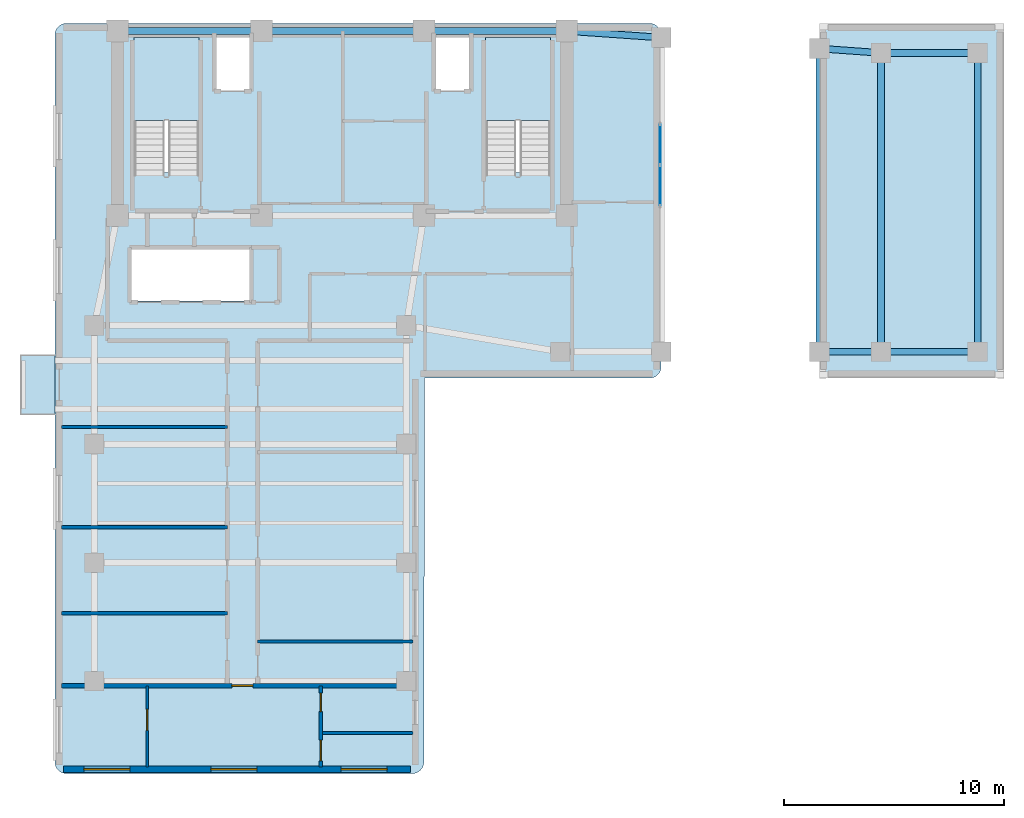
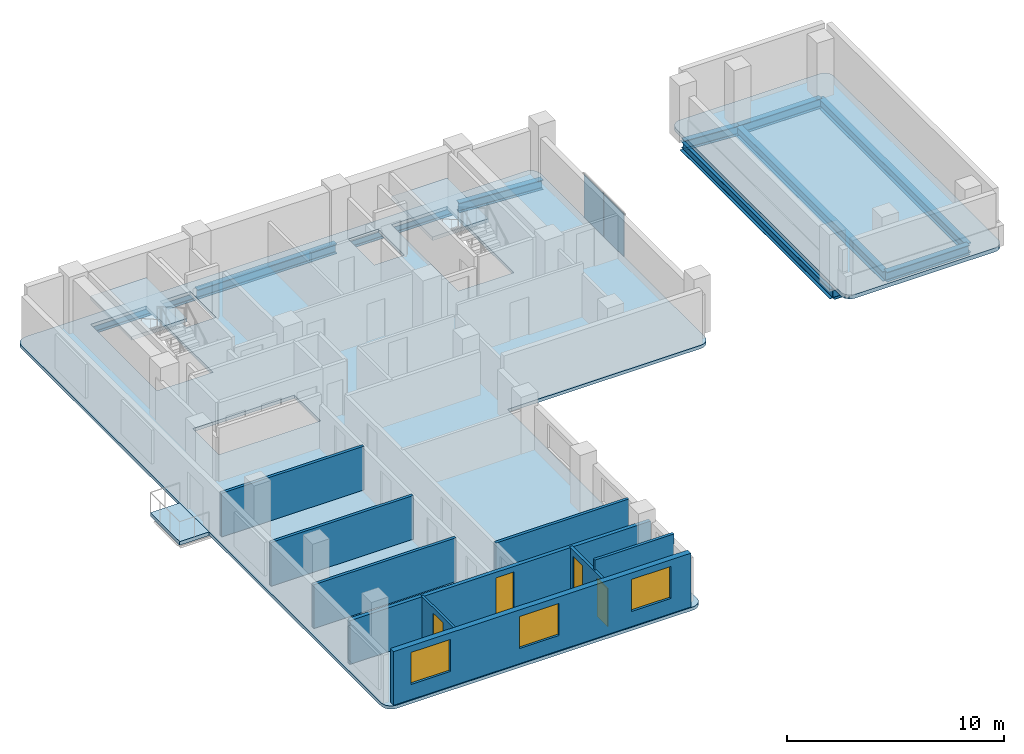
# One storey, part 5 of 10: 11 beams, 9 walls, 5 slabs, 4 doors, 3 windows, 2 plates, 7 openings, 3 elements without a shape of their own.
"""IFC4 building model written with IfcOpenShell, lengths in metres."""

from ifc_helpers import new_model, si_unit, direction, frame, frame_2d, origin, origin_2d, place, context, subcontext, project, spatial, polyline, rectangle, i_section, outline, extrude, material, layer, layer_set, material_profile, profile_set, type_object, element, fill, aggregate, save


model = new_model("IFC4")

# Units and contexts
model_context = context("Model", 3, precision=1e-05, world=origin(), true_north=direction((0.0, 1.0)))
body_context = subcontext(model_context, "Body", "Model", "MODEL_VIEW")
ifc_project = project(units=[si_unit("LENGTHUNIT", "METRE"), si_unit("AREAUNIT", "SQUARE_METRE"), si_unit("VOLUMEUNIT", "CUBIC_METRE"), si_unit("PLANEANGLEUNIT", "RADIAN"), si_unit("MASSUNIT", "GRAM", prefix="KILO")], contexts=[model_context])

# Site, building, storey
site_placement = place(None, origin())
site = spatial("IfcSite", under=ifc_project, at=site_placement, CompositionType="ELEMENT")
building_placement = place(site_placement, origin())
building = spatial("IfcBuilding", under=site, at=building_placement, Name="Kuzgunbayir Cultural Tower", CompositionType="ELEMENT")
storey_placement = place(building_placement, frame((0.0, 0.0, 160.0)))
storey = spatial("IfcBuildingStorey", under=building, at=storey_placement, Name="L46", CompositionType="ELEMENT", Elevation=160.0)

# Beams
ifc_material_1 = material(Name="Steel S355J2", Category="steel")
ifc_material_profile_1 = material_profile(ifc_material_1, i_section(OverallWidth=0.300048828125, OverallDepth=0.550048828125, WebThickness=0.014892578125, FlangeThickness=0.029052734375, FilletRadius=0.027099609375, at=origin_2d()), Name="HEB 550")
ifc_profile_set_1 = profile_set([ifc_material_profile_1], Name="Steel S355J2")
beam_type_1 = type_object("IfcBeamType", Name="BM-EXT-HEB550", PredefinedType="BEAM", material=ifc_profile_set_1)
beam_1_placement = place(storey_placement, frame((26.89990234375, 42.199951171875, -0.4599609375), z_axis=(0.997574369175, -0.069608749203, 0.0), x_axis=(0.069608749203, 0.997574369175, 0.0)))
element("IfcBeam", 1, at=beam_1_placement, inside=storey, type_object=beam_type_1, Name="L46 Wing B North Girder", PredefinedType="BEAM", context=body_context, shape_type="SweptSolid", body=[
    extrude(i_section(OverallWidth=0.300048828125, OverallDepth=0.550048828125, WebThickness=0.014892578125, FlangeThickness=0.029052734375, FilletRadius=0.027099609375, at=origin_2d()), origin(), (0.0, 0.0, 1.0), 4.310546875),
])
beam_2_placement = place(storey_placement, frame((38.39990234375, 27.60009765625, -0.5), z_axis=(1.0, 0.0, 0.0), x_axis=(0.0, 1.0, 0.0)))
element("IfcBeam", 2, at=beam_2_placement, inside=storey, type_object=beam_type_1, Name="L46 Wing B South Girder", PredefinedType="BEAM", context=body_context, shape_type="SweptSolid", body=[
    extrude(i_section(OverallWidth=0.300048828125, OverallDepth=0.550048828125, WebThickness=0.014892578125, FlangeThickness=0.029052734375, FilletRadius=0.027099609375, at=origin_2d()), origin(), (0.0, 0.0, 1.0), 2.800048828125),
])
beam_3_placement = place(storey_placement, frame((38.39990234375, 41.39990234375, -0.5), z_axis=(0.997460024076, -0.071228508128, 0.0), x_axis=(0.071228508128, 0.997460024076, 0.0)))
element("IfcBeam", 3, at=beam_3_placement, inside=storey, type_object=beam_type_1, Name="L46 Wing B North Girder", PredefinedType="BEAM", context=body_context, shape_type="SweptSolid", body=[
    extrude(i_section(OverallWidth=0.300048828125, OverallDepth=0.550048828125, WebThickness=0.014892578125, FlangeThickness=0.029052734375, FilletRadius=0.027099609375, at=origin_2d()), origin(), (0.0, 0.0, 1.0), 2.80712890625),
])
for number, where, z_axis, x_axis, name in (
    (4, (41.199951171875, 27.60009765625, -0.5), (1.0, 0.0, 0.0), (0.0, 1.0, 0.0), "L46 Wing B South Girder"),
    (5, (41.199951171875, 41.199951171875, -0.5), (1.0, 0.0, 0.0), (0.0, 1.0, 0.0), "L46 Wing B North Girder"),
):
    element("IfcBeam", number, at=place(storey_placement, frame(where, z_axis=z_axis, x_axis=x_axis)), inside=storey, type_object=beam_type_1, Name=name, PredefinedType="BEAM", context=body_context, shape_type="SweptSolid", body=[
        extrude(i_section(OverallWidth=0.300048828125, OverallDepth=0.550048828125, WebThickness=0.014892578125, FlangeThickness=0.029052734375, FilletRadius=0.027099609375, at=origin_2d()), origin(), (0.0, 0.0, 1.0), 4.400146484375),
    ])
ifc_material_profile_2 = material_profile(ifc_material_1, i_section(OverallWidth=0.300048828125, OverallDepth=0.550048828125, WebThickness=0.014892578125, FlangeThickness=0.029052734375, FilletRadius=0.027099609375, at=origin_2d()), Name="HEB 550")
ifc_profile_set_2 = profile_set([ifc_material_profile_2], Name="Steel S355J2")
beam_type_2 = type_object("IfcBeamType", Name="BM-GIR-HEB550", PredefinedType="BEAM", material=ifc_profile_set_2)
beam_4_placement = place(storey_placement, frame((6.449951171875, 42.199951171875, -0.4599609375), z_axis=(1.0, 0.0, 0.0), x_axis=(0.0, 1.0, 0.0)))
element("IfcBeam", 6, at=beam_4_placement, inside=storey, type_object=beam_type_2, Name="L46 Core North Girder 1", PredefinedType="BEAM", context=body_context, shape_type="SweptSolid", body=[
    extrude(i_section(OverallWidth=0.300048828125, OverallDepth=0.550048828125, WebThickness=0.014892578125, FlangeThickness=0.029052734375, FilletRadius=0.027099609375, at=origin_2d()), origin(), (0.0, 0.0, 1.0), 6.550048828125),
])
beam_5_placement = place(storey_placement, frame((13.0, 42.199951171875, -0.4599609375), z_axis=(1.0, 0.0, 0.0), x_axis=(0.0, 1.0, 0.0)))
element("IfcBeam", 7, at=beam_5_placement, inside=storey, type_object=beam_type_2, Name="L46 Core North Girder 2", PredefinedType="BEAM", context=body_context, shape_type="SweptSolid", body=[
    extrude(i_section(OverallWidth=0.300048828125, OverallDepth=0.550048828125, WebThickness=0.014892578125, FlangeThickness=0.029052734375, FilletRadius=0.027099609375, at=origin_2d()), origin(), (0.0, 0.0, 1.0), 7.39990234375),
])
beam_6_placement = place(storey_placement, frame((20.39990234375, 42.199951171875, -0.4599609375), z_axis=(1.0, 0.0, 0.0), x_axis=(0.0, 1.0, 0.0)))
element("IfcBeam", 8, at=beam_6_placement, inside=storey, type_object=beam_type_2, Name="L46 Core North Girder 3", PredefinedType="BEAM", context=body_context, shape_type="SweptSolid", body=[
    extrude(i_section(OverallWidth=0.300048828125, OverallDepth=0.550048828125, WebThickness=0.014892578125, FlangeThickness=0.029052734375, FilletRadius=0.027099609375, at=origin_2d()), origin(), (0.0, 0.0, 1.0), 6.5),
])
beam_7_placement = place(storey_placement, frame((38.39990234375, 27.60009765625, -0.5), z_axis=(0.0, 1.0, 0.0), x_axis=(-1.0, 0.0, 0.0)))
element("IfcBeam", 9, at=beam_7_placement, inside=storey, type_object=beam_type_2, Name="L46 Wing B Cross Girder", PredefinedType="BEAM", context=body_context, shape_type="SweptSolid", body=[
    extrude(i_section(OverallWidth=0.300048828125, OverallDepth=0.550048828125, WebThickness=0.014892578125, FlangeThickness=0.029052734375, FilletRadius=0.027099609375, at=origin_2d()), origin(), (0.0, 0.0, 1.0), 13.7998046875),
])
for number, where, z_axis, x_axis, name in (
    (10, (41.199951171875, 27.60009765625, -0.5), (0.0, 1.0, 0.0), (-1.0, 0.0, 0.0), "L46 Wing B Cross Girder"),
    (11, (45.60009765625, 27.60009765625, -0.5), (0.0, 1.0, 0.0), (-1.0, 0.0, 0.0), "L46 Wing B Cross Girder"),
):
    element("IfcBeam", number, at=place(storey_placement, frame(where, z_axis=z_axis, x_axis=x_axis)), inside=storey, type_object=beam_type_2, Name=name, PredefinedType="BEAM", context=body_context, shape_type="SweptSolid", body=[
        extrude(i_section(OverallWidth=0.300048828125, OverallDepth=0.550048828125, WebThickness=0.014892578125, FlangeThickness=0.029052734375, FilletRadius=0.027099609375, at=origin_2d()), origin(), (0.0, 0.0, 1.0), 13.599853515625),
    ])

# Curtain wall, plates
ifc_material_2 = material(Name="Anodised Aluminium Framing", Category="aluminium")
curtain_wall_type = type_object("IfcCurtainWallType", Name="CW02-PORTAL-SOFFIT", PredefinedType="NOTDEFINED", material=ifc_material_2)
curtain_wall_placement = place(storey_placement, origin())
curtain_wall = element("IfcCurtainWall", 12, at=curtain_wall_placement, inside=storey, type_object=curtain_wall_type, Name="L46 Wind-Portal Aperture Curtain Wall", PredefinedType="NOTDEFINED")
ifc_material_3 = material(Name="Solar-Control Triple Glazing", Category="glass")
ifc_layer_1 = layer(ifc_material_3, 0.035888671875)
ifc_layer_set_1 = layer_set([ifc_layer_1], Name="Solar-Control Triple Glazing")
plate_type = type_object("IfcPlateType", Name="PLT-CW-GLASS-36", PredefinedType="CURTAIN_PANEL", material=ifc_layer_set_1)
plate_1_placement = place(storey_placement, frame((31.14990234375, 35.1650390625, 0.06005859375), z_axis=(0.0, 0.0, 1.0), x_axis=(0.0, 1.0, 0.0)))
plate_1 = element("IfcPlate", 13, at=plate_1_placement, type_object=plate_type, Name="CW02 panel 1.1", PredefinedType="CURTAIN_PANEL", context=body_context, shape_type="SweptSolid", body=[
    extrude(rectangle(XDim=1.81005859375, YDim=0.035888671875, at=origin_2d()), origin(), (0.0, 0.0, 1.0), 2.39990234375),
])
plate_2_placement = place(storey_placement, frame((31.14990234375, 37.034912109375, 0.06005859375), z_axis=(0.0, 0.0, 1.0), x_axis=(0.0, 1.0, 0.0)))
plate_2 = element("IfcPlate", 14, at=plate_2_placement, type_object=plate_type, Name="CW02 panel 2.1", PredefinedType="CURTAIN_PANEL", context=body_context, shape_type="SweptSolid", body=[
    extrude(rectangle(XDim=1.81005859375, YDim=0.035888671875, at=origin_2d()), origin(), (0.0, 0.0, 1.0), 2.39990234375),
])
aggregate(curtain_wall, [plate_1, plate_2])

# Slab
ifc_material_4 = material(Name="Concrete C40/50", Category="concrete")
ifc_layer_2 = layer(ifc_material_4, 0.199951171875)
ifc_layer_set_2 = layer_set([ifc_layer_2], Name="Concrete C40/50")
slab_type_1 = type_object("IfcSlabType", Name="SLB-BAL-STONE", PredefinedType="FLOOR", material=ifc_layer_set_2)
slab_1_placement = place(storey_placement, frame((0.0, 0.0, -0.199951171875)))
element("IfcSlab", 15, at=slab_1_placement, inside=storey, type_object=slab_type_1, Name="L46 Projecting Limestone Balcony BAL-L46-WA3", PredefinedType="FLOOR", context=body_context, shape_type="SweptSolid", body=[
    extrude(outline(polyline([(2.0400390625, 24.75), (3.60009765625, 24.75), (3.60009765625, 27.449951171875), (2.0400390625, 27.449951171875), (2.0400390625, 24.75)])), origin(), (0.0, 0.0, 1.0), 0.199951171875),
])

# Stair, slab
stair_type = type_object("IfcStairType", Name="STR-EXIT-CORE", PredefinedType="HALF_TURN_STAIR", material=ifc_material_4)
stair_1_placement = place(storey_placement, origin())
stair_1 = element("IfcStair", 16, at=stair_1_placement, inside=storey, type_object=stair_type, Name="L46 ST-1", PredefinedType="HALF_TURN_STAIR")
ifc_layer_3 = layer(ifc_material_4, 0.179931640625)
ifc_layer_set_3 = layer_set([ifc_layer_3], Name="Concrete C40/50")
slab_type_2 = type_object("IfcSlabType", Name="SLB-LANDING-180", PredefinedType="LANDING", material=ifc_layer_set_3)
slab_2_placement = place(storey_placement, frame((0.0, 0.0, 1.39990234375)))
slab_2 = element("IfcSlab", 17, at=slab_2_placement, type_object=slab_type_2, Name="ST-1 landing 1", PredefinedType="LANDING", context=body_context, shape_type="SweptSolid", body=[
    extrude(outline(polyline([(10.159912109375, 38.1201171875), (10.159912109375, 41.89990234375), (7.199951171875, 41.89990234375), (7.199951171875, 38.1201171875), (10.159912109375, 38.1201171875)])), origin(), (0.0, 0.0, 1.0), 0.2001953125),
])
aggregate(stair_1, [slab_2])

stair_2_placement = place(storey_placement, origin())
stair_2 = element("IfcStair", 18, at=stair_2_placement, inside=storey, type_object=stair_type, Name="L46 ST-2", PredefinedType="HALF_TURN_STAIR")
slab_3_placement = place(storey_placement, frame((0.0, 0.0, 1.39990234375)))
slab_3 = element("IfcSlab", 19, at=slab_3_placement, type_object=slab_type_2, Name="ST-2 landing 1", PredefinedType="LANDING", context=body_context, shape_type="SweptSolid", body=[
    extrude(outline(polyline([(26.159912109375, 38.1201171875), (26.159912109375, 41.89990234375), (23.199951171875, 41.89990234375), (23.199951171875, 38.1201171875), (26.159912109375, 38.1201171875)])), origin(), (0.0, 0.0, 1.0), 0.2001953125),
])
aggregate(stair_2, [slab_3])

# Slabs
ifc_layer_4 = layer(ifc_material_4, 0.219970703125)
ifc_layer_set_4 = layer_set([ifc_layer_4], Name="Concrete C40/50")
slab_type_3 = type_object("IfcSlabType", Name="SLB-ROOF-COMP-220", PredefinedType="ROOF", material=ifc_layer_set_4)
slab_4_placement = place(storey_placement, frame((0.0, 0.0, -0.219970703125)))
element("IfcSlab", 20, at=slab_4_placement, inside=storey, type_object=slab_type_3, Name="L46 Tower 1 Portal Structural Cap T1-PIER", PredefinedType="ROOF", context=body_context, shape_type="SweptSolid", body=[
    extrude(outline(polyline([(46.300048828125, 26.39990234375), (46.39990234375, 26.409912109375), (46.489990234375, 26.43994140625), (46.580078125, 26.47998046875), (46.64990234375, 26.550048828125), (46.719970703125, 26.6201171875), (46.760009765625, 26.7099609375), (46.7900390625, 26.800048828125), (46.800048828125, 26.89990234375), (46.800048828125, 42.050048828125), (46.7900390625, 42.14990234375), (46.760009765625, 42.239990234375), (46.719970703125, 42.330078125), (46.64990234375, 42.39990234375), (46.580078125, 42.469970703125), (46.489990234375, 42.510009765625), (46.39990234375, 42.5400390625), (46.300048828125, 42.550048828125), (38.89990234375, 42.550048828125), (38.800048828125, 42.5400390625), (38.7099609375, 42.510009765625), (38.6201171875, 42.469970703125), (38.550048828125, 42.39990234375), (38.47998046875, 42.330078125), (38.43994140625, 42.239990234375), (38.409912109375, 42.14990234375), (38.39990234375, 42.050048828125), (38.39990234375, 26.89990234375), (38.409912109375, 26.800048828125), (38.43994140625, 26.7099609375), (38.47998046875, 26.6201171875), (38.550048828125, 26.550048828125), (38.6201171875, 26.47998046875), (38.7099609375, 26.43994140625), (38.800048828125, 26.409912109375), (38.89990234375, 26.39990234375), (46.300048828125, 26.39990234375)])), origin(), (0.0, 0.0, 1.0), 0.219970703125),
])
ifc_layer_5 = layer(ifc_material_4, 0.179931640625)
ifc_layer_set_5 = layer_set([ifc_layer_5], Name="Concrete C40/50")
slab_type_4 = type_object("IfcSlabType", Name="SLB-TYP-180", PredefinedType="FLOOR", material=ifc_layer_set_5)
slab_5_placement = place(storey_placement, frame((0.0, 0.0, -0.179931640625)))
element("IfcSlab", 21, at=slab_5_placement, inside=storey, type_object=slab_type_4, Name="L46 Tower 1 Floor Slab T1-WEST", PredefinedType="FLOOR", context=body_context, shape_type="SweptSolid", body=[
    extrude(outline(polyline([(20.39990234375, 8.949951171875), (20.389892578125, 8.840087890625), (20.360107421875, 8.739990234375), (20.31005859375, 8.639892578125), (20.239990234375, 8.56005859375), (20.159912109375, 8.489990234375), (20.06005859375, 8.43994140625), (19.9599609375, 8.409912109375), (19.85009765625, 8.39990234375), (4.14990234375, 8.39990234375), (4.0400390625, 8.409912109375), (3.93994140625, 8.43994140625), (3.840087890625, 8.489990234375), (3.760009765625, 8.56005859375), (3.68994140625, 8.639892578125), (3.639892578125, 8.739990234375), (3.610107421875, 8.840087890625), (3.60009765625, 8.949951171875), (3.60009765625, 42.0), (3.610107421875, 42.110107421875), (3.639892578125, 42.2099609375), (3.68994140625, 42.31005859375), (3.760009765625, 42.389892578125), (3.840087890625, 42.4599609375), (3.93994140625, 42.510009765625), (4.0400390625, 42.5400390625), (4.14990234375, 42.550048828125), (30.64990234375, 42.550048828125), (30.760009765625, 42.5400390625), (30.860107421875, 42.510009765625), (30.9599609375, 42.4599609375), (31.0400390625, 42.389892578125), (31.110107421875, 42.31005859375), (31.159912109375, 42.2099609375), (31.18994140625, 42.110107421875), (31.199951171875, 42.0), (31.199951171875, 26.949951171875), (31.18994140625, 26.840087890625), (31.159912109375, 26.739990234375), (31.110107421875, 26.639892578125), (31.0400390625, 26.56005859375), (30.9599609375, 26.489990234375), (30.860107421875, 26.43994140625), (30.760009765625, 26.409912109375), (30.64990234375, 26.39990234375), (20.429931640625, 26.39990234375), (20.39990234375, 8.949951171875)]), holes=[polyline([(7.199951171875, 35.760009765625), (7.199951171875, 41.89990234375), (10.159912109375, 41.89990234375), (10.159912109375, 35.760009765625), (7.199951171875, 35.760009765625)]), polyline([(23.199951171875, 35.760009765625), (23.199951171875, 41.89990234375), (26.159912109375, 41.89990234375), (26.159912109375, 35.760009765625), (23.199951171875, 35.760009765625)]), polyline([(7.10009765625, 29.89990234375), (7.10009765625, 32.300048828125), (12.5, 32.300048828125), (12.5, 29.89990234375), (7.10009765625, 29.89990234375)]), polyline([(10.89990234375, 39.5), (10.89990234375, 41.89990234375), (12.5, 41.89990234375), (12.5, 39.5), (10.89990234375, 39.5)]), polyline([(20.89990234375, 39.5), (20.89990234375, 41.89990234375), (22.5, 41.89990234375), (22.5, 39.5), (20.89990234375, 39.5)])]), origin(), (0.0, 0.0, 1.0), 0.179931640625),
])

# Wall, openings, windows
ifc_material_5 = material(Name="Anatolian Cream Limestone", Category="masonry")
ifc_layer_6 = layer(ifc_material_5, 0.300048828125)
ifc_layer_set_6 = layer_set([ifc_layer_6], Name="Anatolian Cream Limestone")
wall_type_1 = type_object("IfcWallType", Name="WAL-EXT-STONE-300", PredefinedType="STANDARD", material=ifc_layer_set_6)
wall_1_placement = place(storey_placement, frame((4.0, 8.60009765625, 0.0), z_axis=(0.0, 0.0, 1.0), x_axis=(1.0, 0.0, 0.0)))
wall_1 = element("IfcWall", 22, at=wall_1_placement, inside=storey, type_object=wall_type_1, Name="L46 Wing A South Limestone Wall", PredefinedType="STANDARD", context=body_context, shape_type="SweptSolid", body=[
    extrude(rectangle(XDim=15.800048828125, YDim=0.300048828125, at=frame_2d((7.89990234375, 0.0))), origin(), (0.0, 0.0, 1.0), 3.02001953125),
])
opening_1_placement = place(wall_1_placement, frame((0.919921875, 0.0, 0.85009765625)))
opening_1 = element("IfcOpeningElement", 23, at=opening_1_placement, cuts=wall_1, Name="Opening WR-21", PredefinedType="OPENING", context=body_context, shape_type="SweptSolid", body=[
    extrude(rectangle(XDim=2.10009765625, YDim=1.800048828125, at=frame_2d((1.050048828125, 0.89990234375))), frame((0.0, 0.16015625, 0.0), z_axis=(0.0, -1.0, 0.0), x_axis=(1.0, 0.0, 0.0)), (0.0, 0.0, 1.0), 0.320068359375),
])
opening_2_placement = place(wall_1_placement, frame((6.699951171875, 0.0, 0.85009765625)))
opening_2 = element("IfcOpeningElement", 24, at=opening_2_placement, cuts=wall_1, Name="Opening WR-21", PredefinedType="OPENING", context=body_context, shape_type="SweptSolid", body=[
    extrude(rectangle(XDim=2.10009765625, YDim=1.800048828125, at=frame_2d((1.050048828125, 0.89990234375))), frame((0.0, 0.16015625, 0.0), z_axis=(0.0, -1.0, 0.0), x_axis=(1.0, 0.0, 0.0)), (0.0, 0.0, 1.0), 0.320068359375),
])
opening_3_placement = place(wall_1_placement, frame((12.6298828125, 0.0, 0.85009765625)))
opening_3 = element("IfcOpeningElement", 25, at=opening_3_placement, cuts=wall_1, Name="Opening WR-21", PredefinedType="OPENING", context=body_context, shape_type="SweptSolid", body=[
    extrude(rectangle(XDim=2.10009765625, YDim=1.800048828125, at=frame_2d((1.050048828125, 0.89990234375))), frame((0.0, 0.16015625, 0.0), z_axis=(0.0, -1.0, 0.0), x_axis=(1.0, 0.0, 0.0)), (0.0, 0.0, 1.0), 0.320068359375),
])
window_type = type_object("IfcWindowType", Name="WIN-RESID-21", PartitioningType="SINGLE_PANEL", PredefinedType="WINDOW", material=ifc_material_3)
window_1_placement = place(opening_1_placement, origin())
window_1 = element("IfcWindow", 26, at=window_1_placement, inside=storey, type_object=window_type, Name="L46 WAS Facade Window 1", OverallHeight=1.800048828125, OverallWidth=2.10009765625, PartitioningType="SINGLE_PANEL", PredefinedType="WINDOW", context=body_context, shape_type="SweptSolid", body=[
    extrude(rectangle(XDim=2.10009765625, YDim=1.800048828125, at=frame_2d((1.050048828125, 0.89990234375))), frame((0.0, 0.030029296875, 0.0), z_axis=(0.0, -1.0, 0.0), x_axis=(1.0, 0.0, 0.0)), (0.0, 0.0, 1.0), 0.06005859375),
])
fill(opening_1, window_1)
window_2_placement = place(opening_2_placement, origin())
window_2 = element("IfcWindow", 27, at=window_2_placement, inside=storey, type_object=window_type, Name="L46 WAS Facade Window 2", OverallHeight=1.800048828125, OverallWidth=2.10009765625, PartitioningType="SINGLE_PANEL", PredefinedType="WINDOW", context=body_context, shape_type="SweptSolid", body=[
    extrude(rectangle(XDim=2.10009765625, YDim=1.800048828125, at=frame_2d((1.050048828125, 0.89990234375))), frame((0.0, 0.030029296875, 0.0), z_axis=(0.0, -1.0, 0.0), x_axis=(1.0, 0.0, 0.0)), (0.0, 0.0, 1.0), 0.06005859375),
])
fill(opening_2, window_2)
window_3_placement = place(opening_3_placement, origin())
window_3 = element("IfcWindow", 28, at=window_3_placement, inside=storey, type_object=window_type, Name="L46 WAS Facade Window 3", OverallHeight=1.800048828125, OverallWidth=2.10009765625, PartitioningType="SINGLE_PANEL", PredefinedType="WINDOW", context=body_context, shape_type="SweptSolid", body=[
    extrude(rectangle(XDim=2.10009765625, YDim=1.800048828125, at=frame_2d((1.050048828125, 0.89990234375))), frame((0.0, 0.030029296875, 0.0), z_axis=(0.0, -1.0, 0.0), x_axis=(1.0, 0.0, 0.0)), (0.0, 0.0, 1.0), 0.06005859375),
])
fill(opening_3, window_3)

# Walls
ifc_material_6 = material(Name="Acoustic Double-Stud Drywall", Category="gypsum")
ifc_layer_7 = layer(ifc_material_6, 0.14990234375)
ifc_layer_set_7 = layer_set([ifc_layer_7], Name="Acoustic Double-Stud Drywall")
wall_type_2 = type_object("IfcWallType", Name="WAL-PART-ACOUSTIC-150", PredefinedType="PARTITIONING", material=ifc_layer_set_7)
for number, where, z_axis, x_axis, name in (
    (29, (3.89990234375, 15.699951171875, 0.0), (0.0, 0.0, 1.0), (1.0, 0.0, 0.0), "L46 West Study Partition 1"),
    (30, (3.89990234375, 19.6201171875, 0.0), (0.0, 0.0, 1.0), (1.0, 0.0, 0.0), "L46 West Study Partition 2"),
    (31, (3.89990234375, 24.179931640625, 0.0), (0.0, 0.0, 1.0), (1.0, 0.0, 0.0), "L46 West Study Partition 3"),
):
    element("IfcWall", number, at=place(storey_placement, frame(where, z_axis=z_axis, x_axis=x_axis)), inside=storey, type_object=wall_type_2, Name=name, PredefinedType="PARTITIONING", context=body_context, shape_type="SweptSolid", body=[
        extrude(rectangle(XDim=7.550048828125, YDim=0.14990234375, at=frame_2d((3.77490234375, 0.0))), origin(), (0.0, 0.0, 1.0), 2.4599609375),
    ])

# Wall, opening, door
ifc_material_7 = material(Name="Aerated Concrete Blockwork", Category="masonry")
ifc_layer_8 = layer(ifc_material_7, 0.199951171875)
ifc_layer_set_8 = layer_set([ifc_layer_8], Name="Aerated Concrete Blockwork")
wall_type_3 = type_object("IfcWallType", Name="WAL-PART-FIRE-200", PredefinedType="PARTITIONING", material=ifc_layer_set_8)
wall_2_placement = place(storey_placement, frame((3.89990234375, 12.39990234375, 0.0), z_axis=(0.0, 0.0, 1.0), x_axis=(1.0, 0.0, 0.0)))
wall_2 = element("IfcWall", 32, at=wall_2_placement, inside=storey, type_object=wall_type_3, Name="L46 South Cross Partition", PredefinedType="PARTITIONING", context=body_context, shape_type="SweptSolid", body=[
    extrude(rectangle(XDim=16.0, YDim=0.199951171875, at=frame_2d((8.0, 0.0))), origin(), (0.0, 0.0, 1.0), 2.4599609375),
])
opening_4_placement = place(wall_2_placement, frame((7.760009765625, 0.0, 0.0)))
opening_4 = element("IfcOpeningElement", 33, at=opening_4_placement, cuts=wall_2, Name="Opening DR-APT-60", PredefinedType="OPENING", context=body_context, shape_type="SweptSolid", body=[
    extrude(rectangle(XDim=0.949951171875, YDim=2.14990234375, at=frame_2d((0.47509765625, 1.074951171875))), frame((0.0, 0.10986328125, 0.0), z_axis=(0.0, -1.0, 0.0), x_axis=(1.0, 0.0, 0.0)), (0.0, 0.0, 1.0), 0.219970703125),
])
ifc_material_8 = material(Name="Acoustic Fire Timber Leaf", Category="wood")
door_type_1 = type_object("IfcDoorType", Name="DR-APT-60", OperationType="NOTDEFINED", PredefinedType="DOOR", material=ifc_material_8)
door_1_placement = place(opening_4_placement, origin())
door_1 = element("IfcDoor", 34, at=door_1_placement, inside=storey, type_object=door_type_1, Name="L46 Apartment A Entrance", OperationType="SINGLE_SWING_RIGHT", OverallHeight=2.14990234375, OverallWidth=0.949951171875, PredefinedType="DOOR", context=body_context, shape_type="SweptSolid", body=[
    extrude(rectangle(XDim=0.949951171875, YDim=2.14990234375, at=frame_2d((0.47509765625, 1.074951171875))), frame((0.0, 0.02490234375, 0.0), z_axis=(0.0, -1.0, 0.0), x_axis=(1.0, 0.0, 0.0)), (0.0, 0.0, 1.0), 0.050048828125),
])
fill(opening_4, door_1)

ifc_material_9 = material(Name="Framed Gypsum Partition", Category="gypsum")
ifc_layer_9 = layer(ifc_material_9, 0.1201171875)
ifc_layer_set_9 = layer_set([ifc_layer_9], Name="Framed Gypsum Partition")
wall_type_4 = type_object("IfcWallType", Name="WAL-PART-INT-120", PredefinedType="PARTITIONING", material=ifc_layer_set_9)
wall_3_placement = place(storey_placement, frame((7.800048828125, 8.699951171875, 0.0), z_axis=(0.0, 0.0, 1.0), x_axis=(0.0, 1.0, 0.0)))
wall_3 = element("IfcWall", 35, at=wall_3_placement, inside=storey, type_object=wall_type_4, Name="L46 Flat A West Bedroom Wall", PredefinedType="PARTITIONING", context=body_context, shape_type="SweptSolid", body=[
    extrude(rectangle(XDim=3.699951171875, YDim=0.1201171875, at=frame_2d((1.85009765625, 0.0))), origin(), (0.0, 0.0, 1.0), 2.4599609375),
])
opening_5_placement = place(wall_3_placement, frame((1.669921875, 0.0, 0.0)))
opening_5 = element("IfcOpeningElement", 36, at=opening_5_placement, cuts=wall_3, Name="Opening DI-90", PredefinedType="OPENING", context=body_context, shape_type="SweptSolid", body=[
    extrude(rectangle(XDim=0.949951171875, YDim=2.14990234375, at=frame_2d((0.47509765625, 1.074951171875))), frame((0.0, 0.070068359375, 0.0), z_axis=(0.0, -1.0, 0.0), x_axis=(1.0, 0.0, 0.0)), (0.0, 0.0, 1.0), 0.14013671875),
])
ifc_material_10 = material(Name="Veneered Oak Single Leaf", Category="wood")
door_type_2 = type_object("IfcDoorType", Name="DR-INT-90", OperationType="NOTDEFINED", PredefinedType="DOOR", material=ifc_material_10)
door_2_placement = place(opening_5_placement, origin())
door_2 = element("IfcDoor", 37, at=door_2_placement, inside=storey, type_object=door_type_2, Name="L46 Apartment A Bedroom Door", OperationType="SINGLE_SWING_LEFT", OverallHeight=2.14990234375, OverallWidth=0.949951171875, PredefinedType="DOOR", context=body_context, shape_type="SweptSolid", body=[
    extrude(rectangle(XDim=0.949951171875, YDim=2.14990234375, at=frame_2d((0.47509765625, 1.074951171875))), frame((0.0, 0.02490234375, 0.0), z_axis=(0.0, -1.0, 0.0), x_axis=(1.0, 0.0, 0.0)), (0.0, 0.0, 1.0), 0.050048828125),
])
fill(opening_5, door_2)

# Wall, openings, doors
ifc_material_11 = material(Name="Moisture-Resistant Tile Partition", Category="gypsum")
ifc_layer_10 = layer(ifc_material_11, 0.14990234375)
ifc_layer_set_10 = layer_set([ifc_layer_10], Name="Moisture-Resistant Tile Partition")
wall_type_5 = type_object("IfcWallType", Name="WAL-PART-WET-150", PredefinedType="PARTITIONING", material=ifc_layer_set_10)
wall_4_placement = place(storey_placement, frame((15.699951171875, 8.699951171875, 0.0), z_axis=(0.0, 0.0, 1.0), x_axis=(0.0, 1.0, 0.0)))
wall_4 = element("IfcWall", 38, at=wall_4_placement, inside=storey, type_object=wall_type_5, Name="L46 Flat A East Service Wall", PredefinedType="PARTITIONING", context=body_context, shape_type="SweptSolid", body=[
    extrude(rectangle(XDim=3.699951171875, YDim=0.14990234375, at=frame_2d((1.85009765625, 0.0))), origin(), (0.0, 0.0, 1.0), 2.4599609375),
])
opening_6_placement = place(wall_4_placement, frame((0.280029296875, 0.0, 0.0)))
opening_6 = element("IfcOpeningElement", 39, at=opening_6_placement, cuts=wall_4, Name="Opening DI-90", PredefinedType="OPENING", context=body_context, shape_type="SweptSolid", body=[
    extrude(rectangle(XDim=0.949951171875, YDim=2.14990234375, at=frame_2d((0.47509765625, 1.074951171875))), frame((0.0, 0.0849609375, 0.0), z_axis=(0.0, -1.0, 0.0), x_axis=(1.0, 0.0, 0.0)), (0.0, 0.0, 1.0), 0.169921875),
])
opening_7_placement = place(wall_4_placement, frame((2.52001953125, 0.0, 0.0)))
opening_7 = element("IfcOpeningElement", 40, at=opening_7_placement, cuts=wall_4, Name="Opening DW-85", PredefinedType="OPENING", context=body_context, shape_type="SweptSolid", body=[
    extrude(rectangle(XDim=0.85009765625, YDim=2.10009765625, at=frame_2d((0.425048828125, 1.050048828125))), frame((0.0, 0.0849609375, 0.0), z_axis=(0.0, -1.0, 0.0), x_axis=(1.0, 0.0, 0.0)), (0.0, 0.0, 1.0), 0.169921875),
])
door_3_placement = place(opening_6_placement, origin())
door_3 = element("IfcDoor", 41, at=door_3_placement, inside=storey, type_object=door_type_2, Name="L46 Apartment A Kitchen Door", OperationType="SINGLE_SWING_RIGHT", OverallHeight=2.14990234375, OverallWidth=0.949951171875, PredefinedType="DOOR", context=body_context, shape_type="SweptSolid", body=[
    extrude(rectangle(XDim=0.949951171875, YDim=2.14990234375, at=frame_2d((0.47509765625, 1.074951171875))), frame((0.0, 0.02490234375, 0.0), z_axis=(0.0, -1.0, 0.0), x_axis=(1.0, 0.0, 0.0)), (0.0, 0.0, 1.0), 0.050048828125),
])
fill(opening_6, door_3)
ifc_material_12 = material(Name="Laminate Moisture-Resistant Leaf", Category="wood")
door_type_3 = type_object("IfcDoorType", Name="DR-WET-85", OperationType="NOTDEFINED", PredefinedType="DOOR", material=ifc_material_12)
door_4_placement = place(opening_7_placement, origin())
door_4 = element("IfcDoor", 42, at=door_4_placement, inside=storey, type_object=door_type_3, Name="L46 Apartment A Bathroom Door", OperationType="SINGLE_SWING_LEFT", OverallHeight=2.10009765625, OverallWidth=0.85009765625, PredefinedType="DOOR", context=body_context, shape_type="SweptSolid", body=[
    extrude(rectangle(XDim=0.85009765625, YDim=2.10009765625, at=frame_2d((0.425048828125, 1.050048828125))), frame((0.0, 0.02490234375, 0.0), z_axis=(0.0, -1.0, 0.0), x_axis=(1.0, 0.0, 0.0)), (0.0, 0.0, 1.0), 0.050048828125),
])
fill(opening_7, door_4)

# Walls
wall_5_placement = place(storey_placement, frame((15.699951171875, 10.25, 0.0), z_axis=(0.0, 0.0, 1.0), x_axis=(1.0, 0.0, 0.0)))
element("IfcWall", 43, at=wall_5_placement, inside=storey, type_object=wall_type_5, Name="L46 Flat A Bath Kitchen Divider", PredefinedType="PARTITIONING", context=body_context, shape_type="SweptSolid", body=[
    extrude(rectangle(XDim=4.199951171875, YDim=0.14990234375, at=frame_2d((2.10009765625, 0.0))), origin(), (0.0, 0.0, 1.0), 3.02001953125),
])
wall_6_placement = place(storey_placement, frame((12.830078125, 14.409912109375, 0.0), z_axis=(0.0, 0.0, 1.0), x_axis=(1.0, 0.0, 0.0)))
element("IfcWall", 44, at=wall_6_placement, inside=storey, type_object=wall_type_5, Name="L46 East Accessible WC Wall", PredefinedType="PARTITIONING", context=body_context, shape_type="SweptSolid", body=[
    extrude(rectangle(XDim=7.06982421875, YDim=0.14990234375, at=frame_2d((3.534912109375, 0.0))), origin(), (0.0, 0.0, 1.0), 2.4599609375),
])

save(model, "model.ifc")
